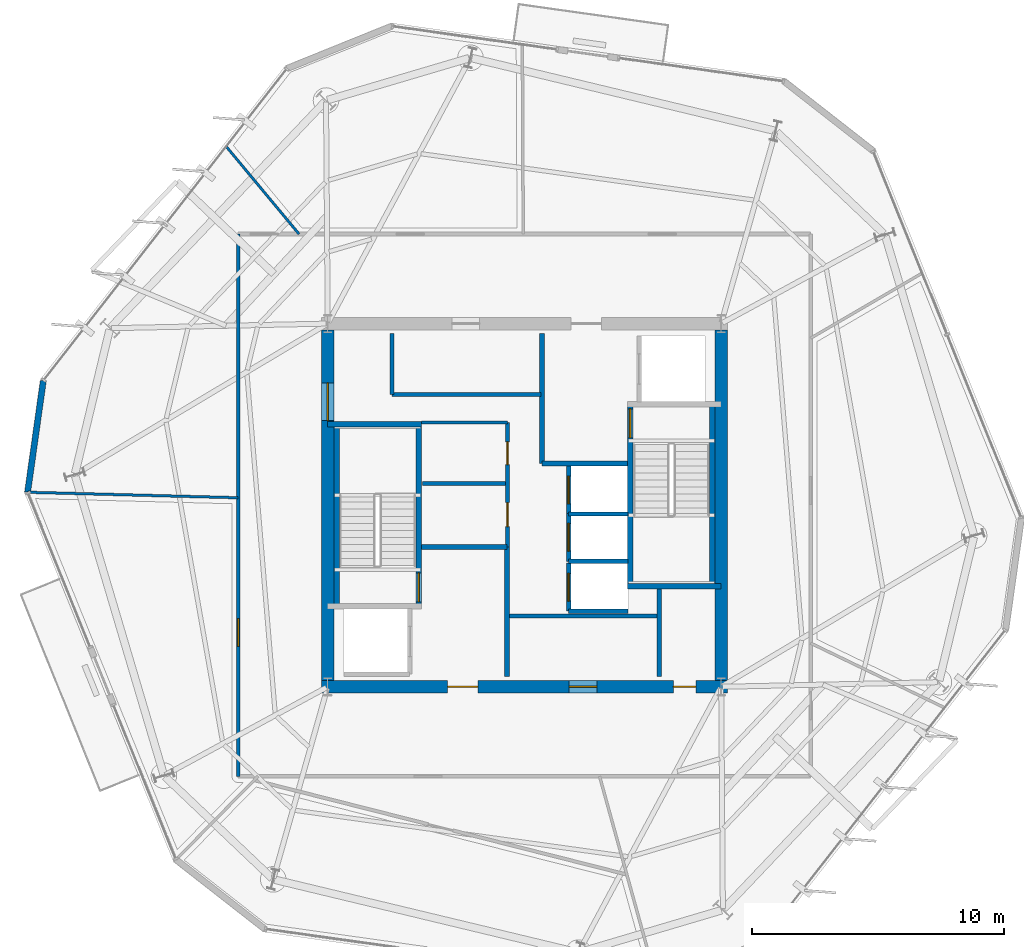
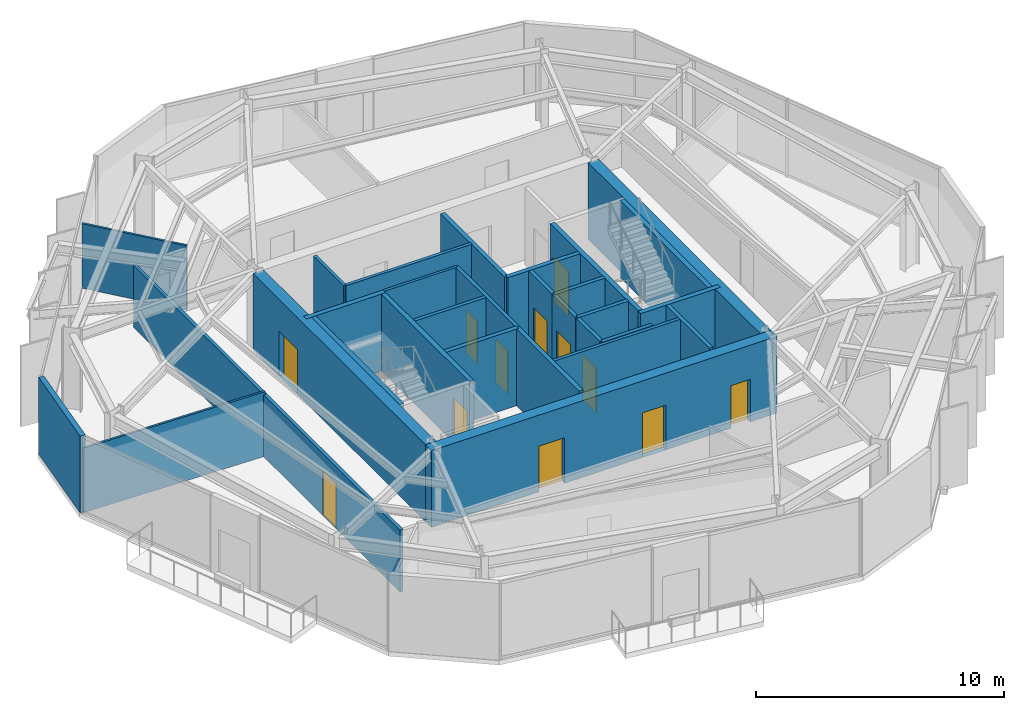
# One storey, part 7 of 11: 30 walls, 12 doors, 12 openings.
"""IFC4 building model written with IfcOpenShell, lengths in metres."""

from ifc_helpers import new_model, si_unit, direction, frame, frame_2d, origin, place, context, subcontext, project, spatial, rectangle, extrude, material, layer, layer_set, type_object, element, fill, save


model = new_model("IFC4")

# Units and contexts
model_context = context("Model", 3, precision=1e-05, world=origin(), true_north=direction((0.0, 1.0)))
body_context = subcontext(model_context, "Body", "Model", "MODEL_VIEW")
ifc_project = project(units=[si_unit("LENGTHUNIT", "METRE"), si_unit("AREAUNIT", "SQUARE_METRE"), si_unit("VOLUMEUNIT", "CUBIC_METRE"), si_unit("PLANEANGLEUNIT", "RADIAN"), si_unit("MASSUNIT", "GRAM", prefix="KILO")], contexts=[model_context])

# Site, building, storey
site_placement = place(None, origin())
site = spatial("IfcSite", under=ifc_project, at=site_placement, CompositionType="ELEMENT")
building_placement = place(site_placement, origin())
building = spatial("IfcBuilding", under=site, at=building_placement, Name="Kranzbogen Civic Tower", CompositionType="ELEMENT")
storey_placement = place(building_placement, frame((0.0, 0.0, 232.800048828125)))
storey = spatial("IfcBuildingStorey", under=building, at=storey_placement, Name="L56", CompositionType="ELEMENT", Elevation=232.800048828125)

# Walls
ifc_material_1 = material(Name="Double-Stud Acoustic Gypsum Partition")
ifc_layer_1 = layer(ifc_material_1, 0.14990234375, Name="Double-Stud Acoustic Gypsum Partition")
ifc_layer_set_1 = layer_set([ifc_layer_1], Name="Double-Stud Acoustic Gypsum Partition")
wall_type_1 = type_object("IfcWallType", Name="Acoustic Corridor and Clinical Partition 150 mm", PredefinedType="PARTITIONING", material=ifc_layer_set_1)
wall_1_placement = place(storey_placement, frame((24.39990234375, 20.610107421875, 0.0), z_axis=(0.0, 0.0, 1.0), x_axis=(1.0, 0.0, 0.0)))
element("IfcWall", 1, at=wall_1_placement, inside=storey, type_object=wall_type_1, Name="L56 records zone North wall", PredefinedType="PARTITIONING", context=body_context, shape_type="SweptSolid", body=[
    extrude(rectangle(XDim=5.900146484375, YDim=0.14990234375, at=frame_2d((2.9501953125, 0.0))), origin(), (0.0, 0.0, 1.0), 3.780029296875),
])
wall_2_placement = place(storey_placement, frame((19.75, 29.389892578125, 0.0), z_axis=(0.0, 0.0, 1.0), x_axis=(1.0, 0.0, 0.0)))
element("IfcWall", 2, at=wall_2_placement, inside=storey, type_object=wall_type_1, Name="L56 digital comms South wall", PredefinedType="PARTITIONING", context=body_context, shape_type="SweptSolid", body=[
    extrude(rectangle(XDim=5.89990234375, YDim=0.14990234375, at=frame_2d((2.949951171875, 0.0))), origin(), (0.0, 0.0, 1.0), 3.780029296875),
])
wall_3_placement = place(storey_placement, frame((19.75, 29.389892578125, 0.0), z_axis=(0.0, 0.0, 1.0), x_axis=(0.0, 1.0, 0.0)))
element("IfcWall", 3, at=wall_3_placement, inside=storey, type_object=wall_type_1, Name="L56 digital comms West wall", PredefinedType="PARTITIONING", context=body_context, shape_type="SweptSolid", body=[
    extrude(rectangle(XDim=2.41015625, YDim=0.14990234375, at=frame_2d((1.205078125, 0.0))), origin(), (0.0, 0.0, 1.0), 3.780029296875),
])

# Wall, opening, door
wall_4_placement = place(storey_placement, frame((13.64990234375, 14.25, 0.0), z_axis=(0.0, 0.0, 1.0), x_axis=(0.0, 1.0, 0.0)))
wall_4 = element("IfcWall", 4, at=wall_4_placement, inside=storey, type_object=wall_type_1, Name="L56 corridor partition 04", PredefinedType="PARTITIONING", context=body_context, shape_type="SweptSolid", body=[
    extrude(rectangle(XDim=21.5, YDim=0.14990234375, at=frame_2d((10.75, 0.0))), origin(), (0.0, 0.0, 1.0), 3.050048828125),
])
opening_1_placement = place(wall_4_placement, frame((5.156982421875, 0.0, 0.0)))
opening_1 = element("IfcOpeningElement", 5, at=opening_1_placement, cuts=wall_4, Name="Opening D-COR60", PredefinedType="OPENING", context=body_context, shape_type="SweptSolid", body=[
    extrude(rectangle(XDim=1.10009765625, YDim=2.199951171875, at=frame_2d((0.550048828125, 1.10009765625))), frame((0.0, 0.0849609375, 0.0), z_axis=(0.0, -1.0, 0.0), x_axis=(1.0, 0.0, 0.0)), (0.0, 0.0, 1.0), 0.169921875),
])
ifc_material_2 = material(Name="Oak Timber and Fire Core", Category="wood")
door_type_1 = type_object("IfcDoorType", Name="Corridor Acoustic Fire Door 1100x2200", OperationType="NOTDEFINED", PredefinedType="DOOR", material=ifc_material_2)
door_1_placement = place(opening_1_placement, origin())
door_1 = element("IfcDoor", 6, at=door_1_placement, inside=storey, type_object=door_type_1, Name="L56 Delegates Sitting Lounge door", OperationType="SINGLE_SWING_RIGHT", OverallHeight=2.199951171875, OverallWidth=1.10009765625, PredefinedType="DOOR", context=body_context, shape_type="SweptSolid", body=[
    extrude(rectangle(XDim=1.10009765625, YDim=2.199951171875, at=frame_2d((0.550048828125, 1.10009765625))), frame((0.0, 0.02490234375, 0.0), z_axis=(0.0, -1.0, 0.0), x_axis=(1.0, 0.0, 0.0)), (0.0, 0.0, 1.0), 0.050048828125),
])
fill(opening_1, door_1)

# Wall
ifc_material_3 = material(Name="Insulated Metal-Stud Gypsum Partition")
ifc_layer_2 = layer(ifc_material_3, 0.125, Name="Insulated Metal-Stud Gypsum Partition")
ifc_layer_set_2 = layer_set([ifc_layer_2], Name="Insulated Metal-Stud Gypsum Partition")
wall_type_2 = type_object("IfcWallType", Name="Acoustic Inter-Room Partition 125 mm", PredefinedType="PARTITIONING", material=ifc_layer_set_2)
wall_5_placement = place(storey_placement, frame((20.919921875, 28.280029296875, 0.0), z_axis=(0.0, 0.0, 1.0), x_axis=(1.0, 0.0, 0.0)))
element("IfcWall", 7, at=wall_5_placement, inside=storey, type_object=wall_type_2, Name="L56 core auxiliary North wall", PredefinedType="PARTITIONING", context=body_context, shape_type="SweptSolid", body=[
    extrude(rectangle(XDim=3.405029296875, YDim=0.125, at=frame_2d((1.70263671875, 0.0))), origin(), (0.0, 0.0, 1.0), 3.780029296875),
])

# Wall, openings, doors
ifc_material_4 = material(Name="Concrete C45/55", Category="concrete")
ifc_layer_3 = layer(ifc_material_4, 0.5, Name="Concrete C45/55")
ifc_layer_set_3 = layer_set([ifc_layer_3], Name="Concrete C45/55")
wall_type_3 = type_object("IfcWallType", Name="Central Core Shear Wall 500 mm", PredefinedType="SHEAR", material=ifc_layer_set_3)
wall_6_placement = place(storey_placement, frame((16.949951171875, 17.800048828125, 0.0), z_axis=(0.0, 0.0, 1.0), x_axis=(1.0, 0.0, 0.0)))
wall_6 = element("IfcWall", 8, at=wall_6_placement, inside=storey, type_object=wall_type_3, Name="L56 central core South shear wall", PredefinedType="SHEAR", context=body_context, shape_type="SweptSolid", body=[
    extrude(rectangle(XDim=16.10009765625, YDim=0.5, at=frame_2d((8.050048828125, 0.0))), origin(), (0.0, 0.0, 1.0), 3.780029296875),
])
opening_2_placement = place(wall_6_placement, frame((5.0, 0.0, 0.0)))
opening_2 = element("IfcOpeningElement", 9, at=opening_2_placement, cuts=wall_6, Name="Opening D-EX120", PredefinedType="OPENING", context=body_context, shape_type="SweptSolid", body=[
    extrude(rectangle(XDim=1.199951171875, YDim=2.25, at=frame_2d((0.60009765625, 1.125))), frame((0.0, 0.260009765625, 0.0), z_axis=(0.0, -1.0, 0.0), x_axis=(1.0, 0.0, 0.0)), (0.0, 0.0, 1.0), 0.52001953125),
])
opening_3_placement = place(wall_6_placement, frame((13.949951171875, 0.0, 0.0)))
opening_3 = element("IfcOpeningElement", 10, at=opening_3_placement, cuts=wall_6, Name="Opening D-WC90", PredefinedType="OPENING", context=body_context, shape_type="SweptSolid", body=[
    extrude(rectangle(XDim=0.89990234375, YDim=2.10009765625, at=frame_2d((0.449951171875, 1.050048828125))), frame((0.0, 0.260009765625, 0.0), z_axis=(0.0, -1.0, 0.0), x_axis=(1.0, 0.0, 0.0)), (0.0, 0.0, 1.0), 0.52001953125),
])
opening_4_placement = place(wall_6_placement, frame((9.824951171875, 0.0, 0.0)))
opening_4 = element("IfcOpeningElement", 11, at=opening_4_placement, cuts=wall_6, Name="Opening D-COR60", PredefinedType="OPENING", context=body_context, shape_type="SweptSolid", body=[
    extrude(rectangle(XDim=1.10009765625, YDim=2.199951171875, at=frame_2d((0.550048828125, 1.10009765625))), frame((0.0, 0.260009765625, 0.0), z_axis=(0.0, -1.0, 0.0), x_axis=(1.0, 0.0, 0.0)), (0.0, 0.0, 1.0), 0.52001953125),
])
door_2_placement = place(opening_4_placement, origin())
door_2 = element("IfcDoor", 12, at=door_2_placement, inside=storey, type_object=door_type_1, Name="L56 REC1 archive room door", OperationType="SINGLE_SWING_RIGHT", OverallHeight=2.199951171875, OverallWidth=1.10009765625, PredefinedType="DOOR", context=body_context, shape_type="SweptSolid", body=[
    extrude(rectangle(XDim=1.10009765625, YDim=2.199951171875, at=frame_2d((0.550048828125, 1.10009765625))), frame((0.0, 0.02490234375, 0.0), z_axis=(0.0, -1.0, 0.0), x_axis=(1.0, 0.0, 0.0)), (0.0, 0.0, 1.0), 0.050048828125),
])
fill(opening_4, door_2)
ifc_material_5 = material(Name="Steel S355", Category="steel")
door_type_2 = type_object("IfcDoorType", Name="Exit Passageway Fire Door 1200x2250", OperationType="NOTDEFINED", PredefinedType="DOOR", material=ifc_material_5)
door_3_placement = place(opening_2_placement, origin())
door_3 = element("IfcDoor", 13, at=door_3_placement, inside=storey, type_object=door_type_2, Name="L56 West firefighting lobby corridor door", OperationType="SINGLE_SWING_LEFT", OverallHeight=2.25, OverallWidth=1.199951171875, PredefinedType="DOOR", context=body_context, shape_type="SweptSolid", body=[
    extrude(rectangle(XDim=1.199951171875, YDim=2.25, at=frame_2d((0.60009765625, 1.125))), frame((0.0, 0.02490234375, 0.0), z_axis=(0.0, -1.0, 0.0), x_axis=(1.0, 0.0, 0.0)), (0.0, 0.0, 1.0), 0.050048828125),
])
fill(opening_2, door_3)
ifc_material_6 = material(Name="Moisture-Resistant Laminate")
door_type_3 = type_object("IfcDoorType", Name="Standard Restroom and Store Door 900x2100", OperationType="NOTDEFINED", PredefinedType="DOOR", material=ifc_material_6)
door_4_placement = place(opening_3_placement, origin())
door_4 = element("IfcDoor", 14, at=door_4_placement, inside=storey, type_object=door_type_3, Name="L56 East electrical riser access door", OperationType="SINGLE_SWING_LEFT", OverallHeight=2.10009765625, OverallWidth=0.89990234375, PredefinedType="DOOR", context=body_context, shape_type="SweptSolid", body=[
    extrude(rectangle(XDim=0.89990234375, YDim=2.10009765625, at=frame_2d((0.449951171875, 1.050048828125))), frame((0.0, 0.02490234375, 0.0), z_axis=(0.0, -1.0, 0.0), x_axis=(1.0, 0.0, 0.0)), (0.0, 0.0, 1.0), 0.050048828125),
])
fill(opening_3, door_4)

# Wall, opening, door
wall_7_placement = place(storey_placement, frame((17.199951171875, 31.949951171875, 0.0), z_axis=(0.0, 0.0, 1.0), x_axis=(0.0, -1.0, 0.0)))
wall_7 = element("IfcWall", 15, at=wall_7_placement, inside=storey, type_object=wall_type_3, Name="L56 central core West shear wall", PredefinedType="SHEAR", context=body_context, shape_type="SweptSolid", body=[
    extrude(rectangle(XDim=13.89990234375, YDim=0.5, at=frame_2d((6.949951171875, 0.0))), origin(), (0.0, 0.0, 1.0), 3.780029296875),
])
opening_5_placement = place(wall_7_placement, frame((2.10009765625, 0.0, 0.0)))
opening_5 = element("IfcOpeningElement", 16, at=opening_5_placement, cuts=wall_7, Name="Opening D-DBL15", PredefinedType="OPENING", context=body_context, shape_type="SweptSolid", body=[
    extrude(rectangle(XDim=1.5, YDim=2.199951171875, at=frame_2d((0.75, 1.10009765625))), frame((0.0, 0.260009765625, 0.0), z_axis=(0.0, -1.0, 0.0), x_axis=(1.0, 0.0, 0.0)), (0.0, 0.0, 1.0), 0.52001953125),
])
ifc_material_7 = material(Name="Anodised Bronze and Glass", Category="glass")
door_type_4 = type_object("IfcDoorType", Name="Civic Lobby Double Door 1500x2200", OperationType="DOUBLE_DOOR_SINGLE_SWING", PredefinedType="DOOR", material=ifc_material_7)
door_5_placement = place(opening_5_placement, origin())
door_5 = element("IfcDoor", 17, at=door_5_placement, inside=storey, type_object=door_type_4, Name="L56 Central Lift Lobby West concourse door", OperationType="DOUBLE_DOOR_SINGLE_SWING", OverallHeight=2.199951171875, OverallWidth=1.5, PredefinedType="DOOR", context=body_context, shape_type="SweptSolid", body=[
    extrude(rectangle(XDim=1.5, YDim=2.199951171875, at=frame_2d((0.75, 1.10009765625))), frame((0.0, 0.02490234375, 0.0), z_axis=(0.0, -1.0, 0.0), x_axis=(1.0, 0.0, 0.0)), (0.0, 0.0, 1.0), 0.050048828125),
])
fill(opening_5, door_5)

# Wall
wall_8_placement = place(storey_placement, frame((32.800048828125, 18.050048828125, 0.0), z_axis=(0.0, 0.0, 1.0), x_axis=(0.0, 1.0, 0.0)))
element("IfcWall", 18, at=wall_8_placement, inside=storey, type_object=wall_type_3, Name="L56 central core East shear wall", PredefinedType="SHEAR", context=body_context, shape_type="SweptSolid", body=[
    extrude(rectangle(XDim=13.89990234375, YDim=0.5, at=frame_2d((6.949951171875, 0.0))), origin(), (0.0, 0.0, 1.0), 3.780029296875),
])

# Wall, opening, door
ifc_layer_4 = layer(ifc_material_4, 0.219970703125, Name="Concrete C45/55")
ifc_layer_set_4 = layer_set([ifc_layer_4], Name="Concrete C45/55")
wall_type_4 = type_object("IfcWallType", Name="Core Internal Stair Structural Wall 220 mm", PredefinedType="SOLIDWALL", material=ifc_layer_set_4)
wall_9_placement = place(storey_placement, frame((20.81005859375, 20.989990234375, 0.0), z_axis=(0.0, 0.0, 1.0), x_axis=(0.0, 1.0, 0.0)))
wall_9 = element("IfcWall", 19, at=wall_9_placement, inside=storey, type_object=wall_type_4, Name="L56 ST-T1 East structural stair wall", PredefinedType="SOLIDWALL", context=body_context, shape_type="SweptSolid", body=[
    extrude(rectangle(XDim=7.219970703125, YDim=0.219970703125, at=frame_2d((3.60986328125, 0.0))), origin(), (0.0, 0.0, 1.0), 3.780029296875),
])
opening_6_placement = place(wall_9_placement, frame((0.179931640625, 0.0, 0.0)))
opening_6 = element("IfcOpeningElement", 20, at=opening_6_placement, cuts=wall_9, Name="Opening D-ST90", PredefinedType="OPENING", context=body_context, shape_type="SweptSolid", body=[
    extrude(rectangle(XDim=1.14990234375, YDim=2.199951171875, at=frame_2d((0.574951171875, 1.10009765625))), frame((0.0, 0.1201171875, 0.0), z_axis=(0.0, -1.0, 0.0), x_axis=(1.0, 0.0, 0.0)), (0.0, 0.0, 1.0), 0.239990234375),
])
door_type_5 = type_object("IfcDoorType", Name="Pressurized Stair and Lobby Fire Door 1150x2200", OperationType="NOTDEFINED", PredefinedType="DOOR", material=ifc_material_5)
door_6_placement = place(opening_6_placement, origin())
door_6 = element("IfcDoor", 21, at=door_6_placement, inside=storey, type_object=door_type_5, Name="L56 Stair ST-T1 fire door", OperationType="SINGLE_SWING_LEFT", OverallHeight=2.199951171875, OverallWidth=1.14990234375, PredefinedType="DOOR", context=body_context, shape_type="SweptSolid", body=[
    extrude(rectangle(XDim=1.14990234375, YDim=2.199951171875, at=frame_2d((0.574951171875, 1.10009765625))), frame((0.0, 0.02490234375, 0.0), z_axis=(0.0, -1.0, 0.0), x_axis=(1.0, 0.0, 0.0)), (0.0, 0.0, 1.0), 0.050048828125),
])
fill(opening_6, door_6)

# Walls
wall_10_placement = place(storey_placement, frame((17.199951171875, 28.2099609375, 0.0), z_axis=(0.0, 0.0, 1.0), x_axis=(1.0, 0.0, 0.0)))
element("IfcWall", 22, at=wall_10_placement, inside=storey, type_object=wall_type_4, Name="L56 ST-T1 North structural stair wall", PredefinedType="SOLIDWALL", context=body_context, shape_type="SweptSolid", body=[
    extrude(rectangle(XDim=3.719970703125, YDim=0.219970703125, at=frame_2d((1.85986328125, 0.0))), origin(), (0.0, 0.0, 1.0), 3.780029296875),
])
wall_11_placement = place(storey_placement, frame((17.554931640625, 28.2099609375, 0.0), z_axis=(0.0, 0.0, 1.0), x_axis=(0.0, -1.0, 0.0)))
element("IfcWall", 23, at=wall_11_placement, inside=storey, type_object=wall_type_4, Name="L56 ST-T1 West structural stair wall", PredefinedType="SOLIDWALL", context=body_context, shape_type="SweptSolid", body=[
    extrude(rectangle(XDim=7.219970703125, YDim=0.219970703125, at=frame_2d((3.60986328125, 0.0))), origin(), (0.0, 0.0, 1.0), 3.780029296875),
])

# Wall, opening, door
wall_12_placement = place(storey_placement, frame((29.18994140625, 21.7900390625, 0.0), z_axis=(0.0, 0.0, 1.0), x_axis=(0.0, 1.0, 0.0)))
wall_12 = element("IfcWall", 24, at=wall_12_placement, inside=storey, type_object=wall_type_4, Name="L56 ST-T2 West structural stair wall", PredefinedType="SOLIDWALL", context=body_context, shape_type="SweptSolid", body=[
    extrude(rectangle(XDim=7.219970703125, YDim=0.219970703125, at=frame_2d((3.60986328125, 0.0))), origin(), (0.0, 0.0, 1.0), 3.780029296875),
])
opening_7_placement = place(wall_12_placement, frame((5.8798828125, 0.0, 0.0)))
opening_7 = element("IfcOpeningElement", 25, at=opening_7_placement, cuts=wall_12, Name="Opening D-ST90", PredefinedType="OPENING", context=body_context, shape_type="SweptSolid", body=[
    extrude(rectangle(XDim=1.14990234375, YDim=2.199951171875, at=frame_2d((0.574951171875, 1.10009765625))), frame((0.0, 0.1201171875, 0.0), z_axis=(0.0, -1.0, 0.0), x_axis=(1.0, 0.0, 0.0)), (0.0, 0.0, 1.0), 0.239990234375),
])
door_7_placement = place(opening_7_placement, origin())
door_7 = element("IfcDoor", 26, at=door_7_placement, inside=storey, type_object=door_type_5, Name="L56 Stair ST-T2 fire door", OperationType="SINGLE_SWING_RIGHT", OverallHeight=2.199951171875, OverallWidth=1.14990234375, PredefinedType="DOOR", context=body_context, shape_type="SweptSolid", body=[
    extrude(rectangle(XDim=1.14990234375, YDim=2.199951171875, at=frame_2d((0.574951171875, 1.10009765625))), frame((0.0, 0.02490234375, 0.0), z_axis=(0.0, -1.0, 0.0), x_axis=(1.0, 0.0, 0.0)), (0.0, 0.0, 1.0), 0.050048828125),
])
fill(opening_7, door_7)

# Walls
wall_13_placement = place(storey_placement, frame((29.080078125, 21.7900390625, 0.0), z_axis=(0.0, 0.0, 1.0), x_axis=(1.0, 0.0, 0.0)))
element("IfcWall", 27, at=wall_13_placement, inside=storey, type_object=wall_type_4, Name="L56 ST-T2 South structural stair wall", PredefinedType="SOLIDWALL", context=body_context, shape_type="SweptSolid", body=[
    extrude(rectangle(XDim=3.719970703125, YDim=0.219970703125, at=frame_2d((1.85986328125, 0.0))), origin(), (0.0, 0.0, 1.0), 3.780029296875),
])
wall_14_placement = place(storey_placement, frame((32.445068359375, 29.010009765625, 0.0), z_axis=(0.0, 0.0, 1.0), x_axis=(0.0, -1.0, 0.0)))
element("IfcWall", 28, at=wall_14_placement, inside=storey, type_object=wall_type_4, Name="L56 ST-T2 East structural stair wall", PredefinedType="SOLIDWALL", context=body_context, shape_type="SweptSolid", body=[
    extrude(rectangle(XDim=7.219970703125, YDim=0.219970703125, at=frame_2d((3.60986328125, 0.0))), origin(), (0.0, 0.0, 1.0), 3.780029296875),
])
ifc_material_8 = material(Name="Demountable Aluminium and Gypsum Partition", Category="aluminium")
ifc_layer_5 = layer(ifc_material_8, 0.10009765625, Name="Demountable Aluminium and Gypsum Partition")
ifc_layer_set_5 = layer_set([ifc_layer_5], Name="Demountable Aluminium and Gypsum Partition")
wall_type_5 = type_object("IfcWallType", Name="Demountable Office Partition 100 mm", PredefinedType="MOVABLE", material=ifc_layer_set_5)
wall_15_placement = place(storey_placement, frame((16.06298828125, 35.75, 0.0), z_axis=(0.0, 0.0, 1.0), x_axis=(-0.639415003437, 0.768861790818, 0.0)))
element("IfcWall", 29, at=wall_15_placement, inside=storey, type_object=wall_type_5, Name="L56 radial room partition 02", PredefinedType="MOVABLE", context=body_context, shape_type="SweptSolid", body=[
    extrude(rectangle(XDim=4.496337890625, YDim=0.10009765625, at=frame_2d((2.248046875, 0.0))), origin(), (0.0, 0.0, 1.0), 3.179931640625),
])
wall_16_placement = place(storey_placement, frame((13.64990234375, 25.294921875, 0.0), z_axis=(0.0, 0.0, 1.0), x_axis=(-0.99966071874, 0.026047023036, 0.0)))
element("IfcWall", 30, at=wall_16_placement, inside=storey, type_object=wall_type_5, Name="L56 radial room partition 03", PredefinedType="MOVABLE", context=body_context, shape_type="SweptSolid", body=[
    extrude(rectangle(XDim=8.332763671875, YDim=0.10009765625, at=frame_2d((4.16650390625, 0.0))), origin(), (0.0, 0.0, 1.0), 3.179931640625),
])
ifc_material_9 = material(Name="Gypsum Fireboard and Concrete Block", Category="concrete")
ifc_layer_6 = layer(ifc_material_9, 0.199951171875, Name="Gypsum Fireboard and Concrete Block")
ifc_layer_set_6 = layer_set([ifc_layer_6], Name="Gypsum Fireboard and Concrete Block")
wall_type_6 = type_object("IfcWallType", Name="Fire-Rated Exit Passageway and Stair Wall 200 mm", PredefinedType="PARTITIONING", material=ifc_layer_set_6)
wall_17_placement = place(storey_placement, frame((24.300048828125, 18.199951171875, 0.0), z_axis=(0.0, 0.0, 1.0), x_axis=(0.0, 1.0, 0.0)))
element("IfcWall", 31, at=wall_17_placement, inside=storey, type_object=wall_type_6, Name="L56 West firefighting lobby East wall", PredefinedType="PARTITIONING", context=body_context, shape_type="SweptSolid", body=[
    extrude(rectangle(XDim=5.150146484375, YDim=0.199951171875, at=frame_2d((2.5751953125, 0.0))), origin(), (0.0, 0.0, 1.0), 3.780029296875),
])
wall_18_placement = place(storey_placement, frame((20.919921875, 23.35009765625, 0.0), z_axis=(0.0, 0.0, 1.0), x_axis=(1.0, 0.0, 0.0)))
element("IfcWall", 32, at=wall_18_placement, inside=storey, type_object=wall_type_6, Name="L56 West firefighting lobby North wall", PredefinedType="PARTITIONING", context=body_context, shape_type="SweptSolid", body=[
    extrude(rectangle(XDim=3.380126953125, YDim=0.199951171875, at=frame_2d((1.68994140625, 0.0))), origin(), (0.0, 0.0, 1.0), 3.780029296875),
])
wall_19_placement = place(storey_placement, frame((25.699951171875, 26.64990234375, 0.0), z_axis=(0.0, 0.0, 1.0), x_axis=(0.0, 1.0, 0.0)))
element("IfcWall", 33, at=wall_19_placement, inside=storey, type_object=wall_type_6, Name="L56 East firefighting lobby West wall", PredefinedType="PARTITIONING", context=body_context, shape_type="SweptSolid", body=[
    extrude(rectangle(XDim=5.150146484375, YDim=0.199951171875, at=frame_2d((2.5751953125, 0.0))), origin(), (0.0, 0.0, 1.0), 3.780029296875),
])
wall_20_placement = place(storey_placement, frame((25.699951171875, 26.64990234375, 0.0), z_axis=(0.0, 0.0, 1.0), x_axis=(1.0, 0.0, 0.0)))
element("IfcWall", 34, at=wall_20_placement, inside=storey, type_object=wall_type_6, Name="L56 East firefighting lobby South wall", PredefinedType="PARTITIONING", context=body_context, shape_type="SweptSolid", body=[
    extrude(rectangle(XDim=3.380126953125, YDim=0.199951171875, at=frame_2d((1.68994140625, 0.0))), origin(), (0.0, 0.0, 1.0), 3.780029296875),
])
ifc_material_10 = material(Name="Gypsum Fireboard Shaftliner")
ifc_layer_7 = layer(ifc_material_10, 0.175048828125, Name="Gypsum Fireboard Shaftliner")
ifc_layer_set_7 = layer_set([ifc_layer_7], Name="Gypsum Fireboard Shaftliner")
wall_type_7 = type_object("IfcWallType", Name="Fire-Rated Lift and Service Shaft Wall 175 mm", PredefinedType="PARTITIONING", material=ifc_layer_set_7)
wall_21_placement = place(storey_placement, frame((30.35009765625, 18.199951171875, 0.0), z_axis=(0.0, 0.0, 1.0), x_axis=(0.0, 1.0, 0.0)))
element("IfcWall", 35, at=wall_21_placement, inside=storey, type_object=wall_type_7, Name="L56 East core riser West wall", PredefinedType="PARTITIONING", context=body_context, shape_type="SweptSolid", body=[
    extrude(rectangle(XDim=3.47998046875, YDim=0.175048828125, at=frame_2d((1.739990234375, 0.0))), origin(), (0.0, 0.0, 1.0), 3.780029296875),
])

# Wall, opening, door
wall_22_placement = place(storey_placement, frame((26.75, 20.800048828125, 0.0), z_axis=(0.0, 0.0, 1.0), x_axis=(0.0, 1.0, 0.0)))
wall_22 = element("IfcWall", 36, at=wall_22_placement, inside=storey, type_object=wall_type_7, Name="L56 lift HP-01 landing wall", PredefinedType="PARTITIONING", context=body_context, shape_type="SweptSolid", body=[
    extrude(rectangle(XDim=1.89990234375, YDim=0.175048828125, at=frame_2d((0.949951171875, 0.0))), origin(), (0.0, 0.0, 1.0), 3.780029296875),
])
opening_8_placement = place(wall_22_placement, frame((0.39990234375, 0.0, 0.0)))
opening_8 = element("IfcOpeningElement", 37, at=opening_8_placement, cuts=wall_22, Name="Opening LD-HP-01", PredefinedType="OPENING", context=body_context, shape_type="SweptSolid", body=[
    extrude(rectangle(XDim=1.10009765625, YDim=2.199951171875, at=frame_2d((0.550048828125, 1.10009765625))), frame((0.0, 0.09765625, 0.0), z_axis=(0.0, -1.0, 0.0), x_axis=(1.0, 0.0, 0.0)), (0.0, 0.0, 1.0), 0.195068359375),
])
ifc_material_11 = material(Name="Pale Anodised Aluminium", Category="aluminium")
door_type_6 = type_object("IfcDoorType", Name="Passenger Lift Sliding Landing Door 1100x2200", OperationType="DOUBLE_DOOR_SLIDING", PredefinedType="DOOR", material=ifc_material_11)
door_8_placement = place(opening_8_placement, origin())
door_8 = element("IfcDoor", 38, at=door_8_placement, inside=storey, type_object=door_type_6, Name="L56 lift HP-01 sliding landing door", OperationType="DOUBLE_DOOR_SLIDING", OverallHeight=2.199951171875, OverallWidth=1.10009765625, PredefinedType="DOOR", context=body_context, shape_type="SweptSolid", body=[
    extrude(rectangle(XDim=1.10009765625, YDim=2.199951171875, at=frame_2d((0.550048828125, 1.10009765625))), frame((0.0, 0.02490234375, 0.0), z_axis=(0.0, -1.0, 0.0), x_axis=(1.0, 0.0, 0.0)), (0.0, 0.0, 1.0), 0.050048828125),
])
fill(opening_8, door_8)

# Wall
wall_23_placement = place(storey_placement, frame((26.75, 20.800048828125, 0.0), z_axis=(0.0, 0.0, 1.0), x_axis=(1.0, 0.0, 0.0)))
element("IfcWall", 39, at=wall_23_placement, inside=storey, type_object=wall_type_7, Name="L56 lift HP-01 side wall", PredefinedType="PARTITIONING", context=body_context, shape_type="SweptSolid", body=[
    extrude(rectangle(XDim=2.35009765625, YDim=0.175048828125, at=frame_2d((1.175048828125, 0.0))), origin(), (0.0, 0.0, 1.0), 3.780029296875),
])

# Wall, opening, door
wall_24_placement = place(storey_placement, frame((26.75, 22.77490234375, 0.0), z_axis=(0.0, 0.0, 1.0), x_axis=(0.0, 1.0, 0.0)))
wall_24 = element("IfcWall", 40, at=wall_24_placement, inside=storey, type_object=wall_type_7, Name="L56 lift HP-02 landing wall", PredefinedType="PARTITIONING", context=body_context, shape_type="SweptSolid", body=[
    extrude(rectangle(XDim=1.900146484375, YDim=0.175048828125, at=frame_2d((0.9501953125, 0.0))), origin(), (0.0, 0.0, 1.0), 3.780029296875),
])
opening_9_placement = place(wall_24_placement, frame((0.39990234375, 0.0, 0.0)))
opening_9 = element("IfcOpeningElement", 41, at=opening_9_placement, cuts=wall_24, Name="Opening LD-HP-02", PredefinedType="OPENING", context=body_context, shape_type="SweptSolid", body=[
    extrude(rectangle(XDim=1.10009765625, YDim=2.199951171875, at=frame_2d((0.550048828125, 1.10009765625))), frame((0.0, 0.09765625, 0.0), z_axis=(0.0, -1.0, 0.0), x_axis=(1.0, 0.0, 0.0)), (0.0, 0.0, 1.0), 0.195068359375),
])
door_9_placement = place(opening_9_placement, origin())
door_9 = element("IfcDoor", 42, at=door_9_placement, inside=storey, type_object=door_type_6, Name="L56 lift HP-02 sliding landing door", OperationType="DOUBLE_DOOR_SLIDING", OverallHeight=2.199951171875, OverallWidth=1.10009765625, PredefinedType="DOOR", context=body_context, shape_type="SweptSolid", body=[
    extrude(rectangle(XDim=1.10009765625, YDim=2.199951171875, at=frame_2d((0.550048828125, 1.10009765625))), frame((0.0, 0.02490234375, 0.0), z_axis=(0.0, -1.0, 0.0), x_axis=(1.0, 0.0, 0.0)), (0.0, 0.0, 1.0), 0.050048828125),
])
fill(opening_9, door_9)

# Wall
wall_25_placement = place(storey_placement, frame((26.75, 22.77490234375, 0.0), z_axis=(0.0, 0.0, 1.0), x_axis=(1.0, 0.0, 0.0)))
element("IfcWall", 43, at=wall_25_placement, inside=storey, type_object=wall_type_7, Name="L56 lift HP-02 side wall", PredefinedType="PARTITIONING", context=body_context, shape_type="SweptSolid", body=[
    extrude(rectangle(XDim=2.35009765625, YDim=0.175048828125, at=frame_2d((1.175048828125, 0.0))), origin(), (0.0, 0.0, 1.0), 3.780029296875),
])

# Wall, opening, door
wall_26_placement = place(storey_placement, frame((26.75, 24.64990234375, 0.0), z_axis=(0.0, 0.0, 1.0), x_axis=(0.0, 1.0, 0.0)))
wall_26 = element("IfcWall", 44, at=wall_26_placement, inside=storey, type_object=wall_type_7, Name="L56 lift HP-03 landing wall", PredefinedType="PARTITIONING", context=body_context, shape_type="SweptSolid", body=[
    extrude(rectangle(XDim=1.900146484375, YDim=0.175048828125, at=frame_2d((0.9501953125, 0.0))), origin(), (0.0, 0.0, 1.0), 3.780029296875),
])
opening_10_placement = place(wall_26_placement, frame((0.39990234375, 0.0, 0.0)))
opening_10 = element("IfcOpeningElement", 45, at=opening_10_placement, cuts=wall_26, Name="Opening LD-HP-03", PredefinedType="OPENING", context=body_context, shape_type="SweptSolid", body=[
    extrude(rectangle(XDim=1.10009765625, YDim=2.199951171875, at=frame_2d((0.550048828125, 1.10009765625))), frame((0.0, 0.09765625, 0.0), z_axis=(0.0, -1.0, 0.0), x_axis=(1.0, 0.0, 0.0)), (0.0, 0.0, 1.0), 0.195068359375),
])
door_10_placement = place(opening_10_placement, origin())
door_10 = element("IfcDoor", 46, at=door_10_placement, inside=storey, type_object=door_type_6, Name="L56 lift HP-03 sliding landing door", OperationType="DOUBLE_DOOR_SLIDING", OverallHeight=2.199951171875, OverallWidth=1.10009765625, PredefinedType="DOOR", context=body_context, shape_type="SweptSolid", body=[
    extrude(rectangle(XDim=1.10009765625, YDim=2.199951171875, at=frame_2d((0.550048828125, 1.10009765625))), frame((0.0, 0.02490234375, 0.0), z_axis=(0.0, -1.0, 0.0), x_axis=(1.0, 0.0, 0.0)), (0.0, 0.0, 1.0), 0.050048828125),
])
fill(opening_10, door_10)

# Walls
wall_27_placement = place(storey_placement, frame((26.75, 24.64990234375, 0.0), z_axis=(0.0, 0.0, 1.0), x_axis=(1.0, 0.0, 0.0)))
element("IfcWall", 47, at=wall_27_placement, inside=storey, type_object=wall_type_7, Name="L56 lift HP-03 side wall", PredefinedType="PARTITIONING", context=body_context, shape_type="SweptSolid", body=[
    extrude(rectangle(XDim=2.35009765625, YDim=0.175048828125, at=frame_2d((1.175048828125, 0.0))), origin(), (0.0, 0.0, 1.0), 3.780029296875),
])
ifc_layer_8 = layer(ifc_material_11, 0.239990234375, Name="Pale Anodised Aluminium")
ifc_layer_set_8 = layer_set([ifc_layer_8], Name="Pale Anodised Aluminium")
wall_type_8 = type_object("IfcWallType", Name="Insulated Aluminium Facade Portal Wall 240 mm", PredefinedType="STANDARD", material=ifc_layer_set_8)
wall_28_placement = place(storey_placement, frame((5.925048828125, 29.93701171875, 0.0), z_axis=(0.0, 0.0, 1.0), x_axis=(-0.139424759628, -0.990232667812, 0.0)))
element("IfcWall", 48, at=wall_28_placement, inside=storey, type_object=wall_type_8, Name="L56 chamfered corner facade spandrel 2", PredefinedType="STANDARD", context=body_context, shape_type="SweptSolid", body=[
    extrude(rectangle(XDim=4.46875, YDim=0.239990234375, at=frame_2d((2.234375, 0.0))), origin(), (0.0, 0.0, 1.0), 3.780029296875),
])

# Wall, openings, doors
ifc_material_12 = material(Name="Moisture-Resistant Gypsum Assembly")
ifc_layer_9 = layer(ifc_material_12, 0.159912109375, Name="Moisture-Resistant Gypsum Assembly")
ifc_layer_set_9 = layer_set([ifc_layer_9], Name="Moisture-Resistant Gypsum Assembly")
wall_type_9 = type_object("IfcWallType", Name="Sanitary and Plumbing Wet Wall 160 mm", PredefinedType="PLUMBINGWALL", material=ifc_layer_set_9)
wall_29_placement = place(storey_placement, frame((24.324951171875, 23.35009765625, 0.0), z_axis=(0.0, 0.0, 1.0), x_axis=(0.0, 1.0, 0.0)))
wall_29 = element("IfcWall", 49, at=wall_29_placement, inside=storey, type_object=wall_type_9, Name="L56 core auxiliary East wall", PredefinedType="PLUMBINGWALL", context=body_context, shape_type="SweptSolid", body=[
    extrude(rectangle(XDim=4.929931640625, YDim=0.159912109375, at=frame_2d((2.46484375, 0.0))), origin(), (0.0, 0.0, 1.0), 3.780029296875),
])
opening_11_placement = place(wall_29_placement, frame((0.800048828125, 0.0, 0.0)))
opening_11 = element("IfcOpeningElement", 50, at=opening_11_placement, cuts=wall_29, Name="Opening D-AWC95", PredefinedType="OPENING", context=body_context, shape_type="SweptSolid", body=[
    extrude(rectangle(XDim=0.949951171875, YDim=2.10009765625, at=frame_2d((0.47509765625, 1.050048828125))), frame((0.0, 0.08984375, 0.0), z_axis=(0.0, -1.0, 0.0), x_axis=(1.0, 0.0, 0.0)), (0.0, 0.0, 1.0), 0.179931640625),
])
opening_12_placement = place(wall_29_placement, frame((3.260009765625, 0.0, 0.0)))
opening_12 = element("IfcOpeningElement", 51, at=opening_12_placement, cuts=wall_29, Name="Opening D-WC90", PredefinedType="OPENING", context=body_context, shape_type="SweptSolid", body=[
    extrude(rectangle(XDim=0.89990234375, YDim=2.10009765625, at=frame_2d((0.449951171875, 1.050048828125))), frame((0.0, 0.08984375, 0.0), z_axis=(0.0, -1.0, 0.0), x_axis=(1.0, 0.0, 0.0)), (0.0, 0.0, 1.0), 0.179931640625),
])
door_type_7 = type_object("IfcDoorType", Name="Accessible Restroom Door 950x2100", OperationType="NOTDEFINED", PredefinedType="DOOR", material=ifc_material_6)
door_11_placement = place(opening_11_placement, origin())
door_11 = element("IfcDoor", 52, at=door_11_placement, inside=storey, type_object=door_type_7, Name="L56 Accessible Restroom door", OperationType="SINGLE_SWING_LEFT", OverallHeight=2.10009765625, OverallWidth=0.949951171875, PredefinedType="DOOR", context=body_context, shape_type="SweptSolid", body=[
    extrude(rectangle(XDim=0.949951171875, YDim=2.10009765625, at=frame_2d((0.47509765625, 1.050048828125))), frame((0.0, 0.02490234375, 0.0), z_axis=(0.0, -1.0, 0.0), x_axis=(1.0, 0.0, 0.0)), (0.0, 0.0, 1.0), 0.050048828125),
])
fill(opening_11, door_11)
door_12_placement = place(opening_12_placement, origin())
door_12 = element("IfcDoor", 53, at=door_12_placement, inside=storey, type_object=door_type_3, Name="L56 Staff Restroom door", OperationType="SINGLE_SWING_RIGHT", OverallHeight=2.10009765625, OverallWidth=0.89990234375, PredefinedType="DOOR", context=body_context, shape_type="SweptSolid", body=[
    extrude(rectangle(XDim=0.89990234375, YDim=2.10009765625, at=frame_2d((0.449951171875, 1.050048828125))), frame((0.0, 0.02490234375, 0.0), z_axis=(0.0, -1.0, 0.0), x_axis=(1.0, 0.0, 0.0)), (0.0, 0.0, 1.0), 0.050048828125),
])
fill(opening_12, door_12)

# Wall
wall_30_placement = place(storey_placement, frame((20.949951171875, 25.860107421875, 0.0), z_axis=(0.0, 0.0, 1.0), x_axis=(1.0, 0.0, 0.0)))
element("IfcWall", 54, at=wall_30_placement, inside=storey, type_object=wall_type_9, Name="L56 core auxiliary partition 1", PredefinedType="PLUMBINGWALL", context=body_context, shape_type="SweptSolid", body=[
    extrude(rectangle(XDim=3.300048828125, YDim=0.159912109375, at=frame_2d((1.64990234375, 0.0))), origin(), (0.0, 0.0, 1.0), 3.780029296875),
])

save(model, "model.ifc")
